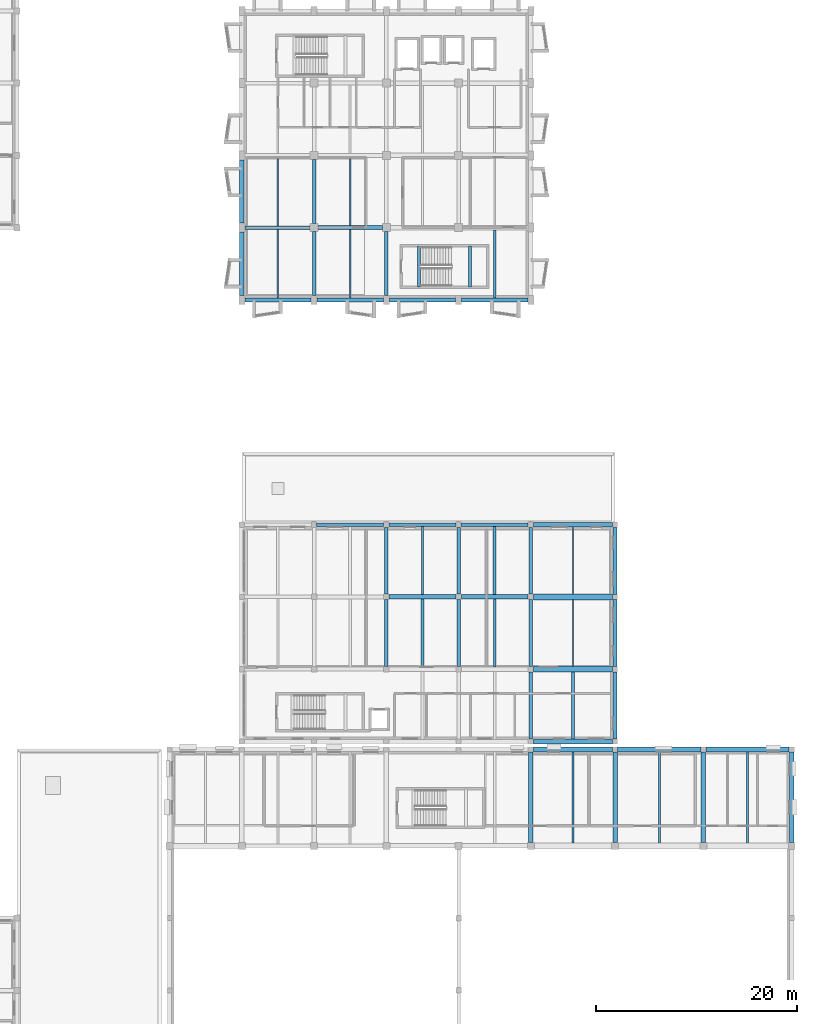
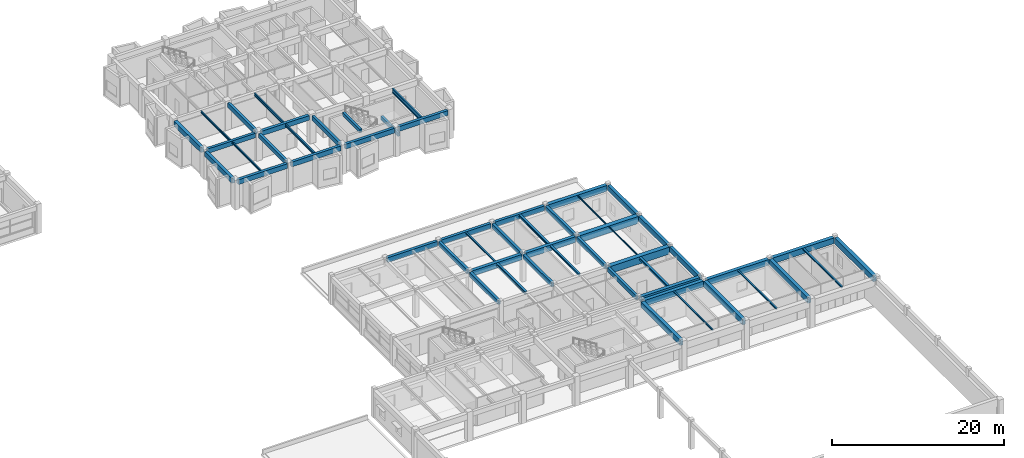
# One storey, part 39 of 67: 54 beams.
"""IFC4 building model written with IfcOpenShell, lengths in metres."""

from ifc_helpers import new_model, si_unit, direction, frame, origin, origin_2d, place, context, subcontext, project, spatial, rectangle, i_section, extrude, material, material_profile, profile_set, type_object, element, save


model = new_model("IFC4")

# Units and contexts
model_context = context("Model", 3, precision=1e-05, world=origin(), true_north=direction((0.0, 1.0)))
body_context = subcontext(model_context, "Body", "Model", "MODEL_VIEW")
ifc_project = project(units=[si_unit("LENGTHUNIT", "METRE"), si_unit("AREAUNIT", "SQUARE_METRE"), si_unit("VOLUMEUNIT", "CUBIC_METRE"), si_unit("PLANEANGLEUNIT", "RADIAN"), si_unit("MASSUNIT", "GRAM", prefix="KILO")], contexts=[model_context])

# Site, building, storey
site_placement = place(None, origin())
site = spatial("IfcSite", under=ifc_project, at=site_placement, CompositionType="ELEMENT")
building_placement = place(site_placement, origin())
building = spatial("IfcBuilding", under=site, at=building_placement, Name="Bramveld Media Centre", CompositionType="ELEMENT")
storey_placement = place(building_placement, frame((0.0, 0.0, 5.39990234375)))
storey = spatial("IfcBuildingStorey", under=building, at=storey_placement, Name="L01", CompositionType="ELEMENT", Elevation=5.39990234375)

# Beams
ifc_material_1 = material(Name="Concrete C40/50", Category="concrete")
ifc_material_profile_1 = material_profile(ifc_material_1, rectangle(XDim=0.300048828125, YDim=0.5, at=origin_2d()), Name="RC 300x500")
ifc_profile_set_1 = profile_set([ifc_material_profile_1], Name="Concrete C40/50")
beam_type_1 = type_object("IfcBeamType", Name="BM-INT-RC-300x500", PredefinedType="BEAM", material=ifc_profile_set_1)
for number, where, z_axis, x_axis, name in (
    (1, (148.85009765625, 84.5, 3.9501953125), (0.0, 1.0, 0.0), (-1.0, 0.0, 0.0), "ST-02 L02 stairwell landing trimmer beam"),
    (2, (153.949951171875, 84.5, 1.650146484375), (0.0, 1.0, 0.0), (-1.0, 0.0, 0.0), "ST-02 L01 stairwell half-landing support beam"),
):
    element("IfcBeam", number, at=place(storey_placement, frame(where, z_axis=z_axis, x_axis=x_axis)), inside=storey, type_object=beam_type_1, Name=name, PredefinedType="BEAM", context=body_context, shape_type="SweptSolid", body=[
        extrude(rectangle(XDim=0.300048828125, YDim=0.5, at=origin_2d()), origin(), (0.0, 0.0, 1.0), 4.050048828125),
    ])
ifc_material_2 = material(Name="Concrete C40/50", Category="concrete")
ifc_material_profile_2 = material_profile(ifc_material_2, rectangle(XDim=0.35009765625, YDim=0.60009765625, at=origin_2d()), Name="RC 350x600")
ifc_profile_set_2 = profile_set([ifc_material_profile_2], Name="Concrete C40/50")
beam_type_2 = type_object("IfcBeamType", Name="BM-INT-RC-350x600", PredefinedType="BEAM", material=ifc_profile_set_2)
beam_1_placement = place(storey_placement, frame((145.60009765625, 46.675048828125, 3.66015625), z_axis=(0.0, 1.0, 0.0), x_axis=(-1.0, 0.0, 0.0)))
element("IfcBeam", 3, at=beam_1_placement, inside=storey, type_object=beam_type_2, Name="V4 L01 girder Y-542", PredefinedType="BEAM", context=body_context, shape_type="SweptSolid", body=[
    extrude(rectangle(XDim=0.35009765625, YDim=0.60009765625, at=origin_2d()), origin(), (0.0, 0.0, 1.0), 6.64990234375),
])
beam_2_placement = place(storey_placement, frame((145.60009765625, 53.875, 3.66015625), z_axis=(0.0, 1.0, 0.0), x_axis=(-1.0, 0.0, 0.0)))
element("IfcBeam", 4, at=beam_2_placement, inside=storey, type_object=beam_type_2, Name="V4 L01 girder Y-543", PredefinedType="BEAM", context=body_context, shape_type="SweptSolid", body=[
    extrude(rectangle(XDim=0.35009765625, YDim=0.60009765625, at=origin_2d()), origin(), (0.0, 0.0, 1.0), 6.6650390625),
])
beam_3_placement = place(storey_placement, frame((152.800048828125, 46.675048828125, 3.66015625), z_axis=(0.0, 1.0, 0.0), x_axis=(-1.0, 0.0, 0.0)))
element("IfcBeam", 5, at=beam_3_placement, inside=storey, type_object=beam_type_2, Name="V4 L01 girder Y-545", PredefinedType="BEAM", context=body_context, shape_type="SweptSolid", body=[
    extrude(rectangle(XDim=0.35009765625, YDim=0.60009765625, at=origin_2d()), origin(), (0.0, 0.0, 1.0), 6.64990234375),
])
for number, where, z_axis, x_axis, name in (
    (6, (152.800048828125, 53.875, 3.66015625), (0.0, 1.0, 0.0), (-1.0, 0.0, 0.0), "V4 L01 girder Y-546"),
    (7, (160.0, 39.4599609375, 3.66015625), (0.0, 1.0, 0.0), (-1.0, 0.0, 0.0), "V4 L01 girder Y-547"),
):
    element("IfcBeam", number, at=place(storey_placement, frame(where, z_axis=z_axis, x_axis=x_axis)), inside=storey, type_object=beam_type_2, Name=name, PredefinedType="BEAM", context=body_context, shape_type="SweptSolid", body=[
        extrude(rectangle(XDim=0.35009765625, YDim=0.60009765625, at=origin_2d()), origin(), (0.0, 0.0, 1.0), 6.6650390625),
    ])
beam_4_placement = place(storey_placement, frame((160.0, 46.675048828125, 3.66015625), z_axis=(0.0, 1.0, 0.0), x_axis=(-1.0, 0.0, 0.0)))
element("IfcBeam", 8, at=beam_4_placement, inside=storey, type_object=beam_type_2, Name="V4 L01 girder Y-548", PredefinedType="BEAM", context=body_context, shape_type="SweptSolid", body=[
    extrude(rectangle(XDim=0.35009765625, YDim=0.60009765625, at=origin_2d()), origin(), (0.0, 0.0, 1.0), 6.64990234375),
])
beam_5_placement = place(storey_placement, frame((160.0, 53.875, 3.66015625), z_axis=(0.0, 1.0, 0.0), x_axis=(-1.0, 0.0, 0.0)))
element("IfcBeam", 9, at=beam_5_placement, inside=storey, type_object=beam_type_2, Name="V4 L01 girder Y-549", PredefinedType="BEAM", context=body_context, shape_type="SweptSolid", body=[
    extrude(rectangle(XDim=0.35009765625, YDim=0.60009765625, at=origin_2d()), origin(), (0.0, 0.0, 1.0), 6.6650390625),
])
beam_6_placement = place(storey_placement, frame((138.39990234375, 83.64990234375, 3.650146484375), z_axis=(0.0, 1.0, 0.0), x_axis=(-1.0, 0.0, 0.0)))
element("IfcBeam", 10, at=beam_6_placement, inside=storey, type_object=beam_type_2, Name="V7 L01 girder Y-1314", PredefinedType="BEAM", context=body_context, shape_type="SweptSolid", body=[
    extrude(rectangle(XDim=0.35009765625, YDim=0.60009765625, at=origin_2d()), origin(), (0.0, 0.0, 1.0), 6.35009765625),
])
beam_7_placement = place(storey_placement, frame((138.39990234375, 90.800048828125, 3.650146484375), z_axis=(0.0, 1.0, 0.0), x_axis=(-1.0, 0.0, 0.0)))
element("IfcBeam", 11, at=beam_7_placement, inside=storey, type_object=beam_type_2, Name="V7 L01 girder Y-1315", PredefinedType="BEAM", context=body_context, shape_type="SweptSolid", body=[
    extrude(rectangle(XDim=0.35009765625, YDim=0.60009765625, at=origin_2d()), origin(), (0.0, 0.0, 1.0), 6.39990234375),
])
beam_8_placement = place(storey_placement, frame((145.60009765625, 83.64990234375, 3.650146484375), z_axis=(0.0, 1.0, 0.0), x_axis=(-1.0, 0.0, 0.0)))
element("IfcBeam", 12, at=beam_8_placement, inside=storey, type_object=beam_type_2, Name="V7 L01 girder Y-1317", PredefinedType="BEAM", context=body_context, shape_type="SweptSolid", body=[
    extrude(rectangle(XDim=0.35009765625, YDim=0.60009765625, at=origin_2d()), origin(), (0.0, 0.0, 1.0), 6.35009765625),
])
ifc_material_3 = material(Name="Concrete C40/50", Category="concrete")
ifc_material_profile_3 = material_profile(ifc_material_3, rectangle(XDim=0.35009765625, YDim=0.64990234375, at=origin_2d()), Name="RC 350x650")
ifc_profile_set_3 = profile_set([ifc_material_profile_3], Name="Concrete C40/50")
beam_type_3 = type_object("IfcBeamType", Name="BM-INT-RC-350x650", PredefinedType="BEAM", material=ifc_profile_set_3)
beam_9_placement = place(storey_placement, frame((131.5, 90.39990234375, 3.625), z_axis=(1.0, 0.0, 0.0), x_axis=(0.0, 1.0, 0.0)))
element("IfcBeam", 13, at=beam_9_placement, inside=storey, type_object=beam_type_3, Name="V7 L01 girder X-1294", PredefinedType="BEAM", context=body_context, shape_type="SweptSolid", body=[
    extrude(rectangle(XDim=0.35009765625, YDim=0.64990234375, at=origin_2d()), origin(), (0.0, 0.0, 1.0), 6.5),
])
ifc_material_4 = material(Name="Concrete C40/50", Category="concrete")
ifc_material_profile_4 = material_profile(ifc_material_4, rectangle(XDim=0.39990234375, YDim=0.64990234375, at=origin_2d()), Name="RC 400x650")
ifc_profile_set_4 = profile_set([ifc_material_profile_4], Name="Concrete C40/50")
beam_type_4 = type_object("IfcBeamType", Name="BM-INT-RC-400x650", PredefinedType="BEAM", material=ifc_profile_set_4)
beam_10_placement = place(storey_placement, frame((138.800048828125, 90.39990234375, 3.625), z_axis=(1.0, 0.0, 0.0), x_axis=(0.0, 1.0, 0.0)))
element("IfcBeam", 14, at=beam_10_placement, inside=storey, type_object=beam_type_4, Name="V7 L01 girder X-1295", PredefinedType="BEAM", context=body_context, shape_type="SweptSolid", body=[
    extrude(rectangle(XDim=0.39990234375, YDim=0.64990234375, at=origin_2d()), origin(), (0.0, 0.0, 1.0), 6.39990234375),
])
ifc_material_5 = material(Name="Concrete C40/50", Category="concrete")
ifc_material_profile_5 = material_profile(ifc_material_5, rectangle(XDim=0.449951171875, YDim=0.75, at=origin_2d()), Name="RC 450x750")
ifc_profile_set_5 = profile_set([ifc_material_profile_5], Name="Concrete C40/50")
beam_type_5 = type_object("IfcBeamType", Name="BM-INT-RC-450x750", PredefinedType="BEAM", material=ifc_profile_set_5)
beam_11_placement = place(storey_placement, frame((145.875, 53.60009765625, 3.585205078125), z_axis=(1.0, 0.0, 0.0), x_axis=(0.0, 1.0, 0.0)))
element("IfcBeam", 15, at=beam_11_placement, inside=storey, type_object=beam_type_5, Name="V4 L01 girder X-529", PredefinedType="BEAM", context=body_context, shape_type="SweptSolid", body=[
    extrude(rectangle(XDim=0.449951171875, YDim=0.75, at=origin_2d()), origin(), (0.0, 0.0, 1.0), 6.64990234375),
])
ifc_material_6 = material(Name="Concrete C40/50", Category="concrete")
ifc_material_profile_6 = material_profile(ifc_material_6, rectangle(XDim=0.449951171875, YDim=0.800048828125, at=origin_2d()), Name="RC 450x800")
ifc_profile_set_6 = profile_set([ifc_material_profile_6], Name="Concrete C40/50")
beam_type_6 = type_object("IfcBeamType", Name="BM-INT-RC-450x800", PredefinedType="BEAM", material=ifc_profile_set_6)
for number, where, z_axis, x_axis, name in (
    (16, (160.0, 29.14990234375, 3.5400390625), (0.0, 1.0, 0.0), (-1.0, 0.0, 0.0), "V1 L01 girder Y-72"),
    (17, (168.39990234375, 29.14990234375, 3.5400390625), (0.0, 1.0, 0.0), (-1.0, 0.0, 0.0), "V1 L01 girder Y-73"),
    (18, (177.199951171875, 29.14990234375, 3.5400390625), (0.0, 1.0, 0.0), (-1.0, 0.0, 0.0), "V1 L01 girder Y-74"),
):
    element("IfcBeam", number, at=place(storey_placement, frame(where, z_axis=z_axis, x_axis=x_axis)), inside=storey, type_object=beam_type_6, Name=name, PredefinedType="BEAM", context=body_context, shape_type="SweptSolid", body=[
        extrude(rectangle(XDim=0.449951171875, YDim=0.800048828125, at=origin_2d()), origin(), (0.0, 0.0, 1.0), 8.989990234375),
    ])
beam_12_placement = place(storey_placement, frame((153.074951171875, 53.60009765625, 3.56005859375), z_axis=(1.0, 0.0, 0.0), x_axis=(0.0, 1.0, 0.0)))
element("IfcBeam", 19, at=beam_12_placement, inside=storey, type_object=beam_type_6, Name="V4 L01 girder X-530", PredefinedType="BEAM", context=body_context, shape_type="SweptSolid", body=[
    extrude(rectangle(XDim=0.449951171875, YDim=0.800048828125, at=origin_2d()), origin(), (0.0, 0.0, 1.0), 6.650146484375),
])
ifc_material_7 = material(Name="Concrete C40/50", Category="concrete")
ifc_material_profile_7 = material_profile(ifc_material_7, rectangle(XDim=0.60009765625, YDim=1.0, at=origin_2d()), Name="RC 600x1000")
ifc_profile_set_7 = profile_set([ifc_material_profile_7], Name="Concrete C40/50")
beam_type_7 = type_object("IfcBeamType", Name="BM-INT-RC-600x1000", PredefinedType="BEAM", material=ifc_profile_set_7)
for number, where, z_axis, x_axis, name in (
    (20, (160.27490234375, 46.39990234375, 3.460205078125), (1.0, 0.0, 0.0), (0.0, 1.0, 0.0), "V4 L01 girder X-526"),
    (21, (160.27490234375, 53.60009765625, 3.460205078125), (1.0, 0.0, 0.0), (0.0, 1.0, 0.0), "V4 L01 girder X-531"),
):
    element("IfcBeam", number, at=place(storey_placement, frame(where, z_axis=z_axis, x_axis=x_axis)), inside=storey, type_object=beam_type_7, Name=name, PredefinedType="BEAM", context=body_context, shape_type="SweptSolid", body=[
        extrude(rectangle(XDim=0.60009765625, YDim=1.0, at=origin_2d()), origin(), (0.0, 0.0, 1.0), 7.864990234375),
    ])
ifc_material_8 = material(Name="Steel S355J2", Category="steel")
ifc_material_profile_8 = material_profile(ifc_material_8, i_section(OverallWidth=0.179931640625, OverallDepth=0.1708984375, WebThickness=0.006103515625, FlangeThickness=0.009521484375, FilletRadius=0.014892578125, at=origin_2d()), Name="HEA 180")
ifc_profile_set_8 = profile_set([ifc_material_profile_8], Name="Steel S355J2")
beam_type_8 = type_object("IfcBeamType", Name="SBM-INT-HEA-180", PredefinedType="BEAM", material=ifc_profile_set_8)
beam_13_placement = place(storey_placement, frame((164.199951171875, 29.10009765625, 3.8544921875), z_axis=(0.0, 1.0, 0.0), x_axis=(-1.0, 0.0, 0.0)))
element("IfcBeam", 22, at=beam_13_placement, inside=storey, type_object=beam_type_8, Name="V1 L01 secondary floor joist 84", PredefinedType="BEAM", context=body_context, shape_type="SweptSolid", body=[
    extrude(i_section(OverallWidth=0.179931640625, OverallDepth=0.1708984375, WebThickness=0.006103515625, FlangeThickness=0.009521484375, FilletRadius=0.014892578125, at=origin_2d()), origin(), (0.0, 0.0, 1.0), 9.059814453125),
])
ifc_material_9 = material(Name="Steel S355J2", Category="steel")
ifc_material_profile_9 = material_profile(ifc_material_9, i_section(OverallWidth=0.199951171875, OverallDepth=0.18994140625, WebThickness=0.006591796875, FlangeThickness=0.010009765625, FilletRadius=0.01806640625, at=origin_2d()), Name="HEA 200")
ifc_profile_set_9 = profile_set([ifc_material_profile_9], Name="Steel S355J2")
beam_type_9 = type_object("IfcBeamType", Name="SBM-INT-HEA-200", PredefinedType="BEAM", material=ifc_profile_set_9)
beam_14_placement = place(storey_placement, frame((172.800048828125, 29.10009765625, 3.84521484375), z_axis=(0.0, 1.0, 0.0), x_axis=(-1.0, 0.0, 0.0)))
element("IfcBeam", 23, at=beam_14_placement, inside=storey, type_object=beam_type_9, Name="V1 L01 secondary floor joist 85", PredefinedType="BEAM", context=body_context, shape_type="SweptSolid", body=[
    extrude(i_section(OverallWidth=0.199951171875, OverallDepth=0.18994140625, WebThickness=0.006591796875, FlangeThickness=0.010009765625, FilletRadius=0.01806640625, at=origin_2d()), origin(), (0.0, 0.0, 1.0), 9.059814453125),
])
ifc_material_10 = material(Name="Steel S355J2", Category="steel")
ifc_material_profile_10 = material_profile(ifc_material_10, i_section(OverallWidth=0.219970703125, OverallDepth=0.2099609375, WebThickness=0.007080078125, FlangeThickness=0.010986328125, FilletRadius=0.01806640625, at=origin_2d()), Name="HEA 220")
ifc_profile_set_10 = profile_set([ifc_material_profile_10], Name="Steel S355J2")
beam_type_10 = type_object("IfcBeamType", Name="SBM-INT-HEA-220", PredefinedType="BEAM", material=ifc_profile_set_10)
beam_15_placement = place(storey_placement, frame((181.60009765625, 29.10009765625, 3.835205078125), z_axis=(0.0, 1.0, 0.0), x_axis=(-1.0, 0.0, 0.0)))
element("IfcBeam", 24, at=beam_15_placement, inside=storey, type_object=beam_type_10, Name="V1 L01 secondary floor joist 86", PredefinedType="BEAM", context=body_context, shape_type="SweptSolid", body=[
    extrude(i_section(OverallWidth=0.219970703125, OverallDepth=0.2099609375, WebThickness=0.007080078125, FlangeThickness=0.010986328125, FilletRadius=0.01806640625, at=origin_2d()), origin(), (0.0, 0.0, 1.0), 9.059814453125),
])
ifc_material_11 = material(Name="Steel S355J2", Category="steel")
ifc_material_profile_11 = material_profile(ifc_material_11, i_section(OverallWidth=0.300048828125, OverallDepth=0.389892578125, WebThickness=0.010986328125, FlangeThickness=0.01904296875, FilletRadius=0.027099609375, at=origin_2d()), Name="HEA 400")
ifc_profile_set_11 = profile_set([ifc_material_profile_11], Name="Steel S355J2")
beam_type_11 = type_object("IfcBeamType", Name="SBM-INT-HEA-400", PredefinedType="BEAM", material=ifc_profile_set_11)
beam_16_placement = place(storey_placement, frame((149.199951171875, 46.625, 3.76513671875), z_axis=(0.0, 1.0, 0.0), x_axis=(-1.0, 0.0, 0.0)))
element("IfcBeam", 25, at=beam_16_placement, inside=storey, type_object=beam_type_11, Name="V4 L01 secondary floor joist 558", PredefinedType="BEAM", context=body_context, shape_type="SweptSolid", body=[
    extrude(i_section(OverallWidth=0.300048828125, OverallDepth=0.389892578125, WebThickness=0.010986328125, FlangeThickness=0.01904296875, FilletRadius=0.027099609375, at=origin_2d()), origin(), (0.0, 0.0, 1.0), 6.75),
])
ifc_material_12 = material(Name="Steel S355J2", Category="steel")
ifc_material_profile_12 = material_profile(ifc_material_12, i_section(OverallWidth=0.199951171875, OverallDepth=0.199951171875, WebThickness=0.009033203125, FlangeThickness=0.014892578125, FilletRadius=0.01806640625, at=origin_2d()), Name="HEB 200")
ifc_profile_set_12 = profile_set([ifc_material_profile_12], Name="Steel S355J2")
beam_type_12 = type_object("IfcBeamType", Name="SBM-INT-HEB-200", PredefinedType="BEAM", material=ifc_profile_set_12)
beam_17_placement = place(storey_placement, frame((149.199951171875, 53.824951171875, 3.860107421875), z_axis=(0.0, 1.0, 0.0), x_axis=(-1.0, 0.0, 0.0)))
element("IfcBeam", 26, at=beam_17_placement, inside=storey, type_object=beam_type_12, Name="V4 L01 secondary floor joist 559", PredefinedType="BEAM", context=body_context, shape_type="SweptSolid", body=[
    extrude(i_section(OverallWidth=0.199951171875, OverallDepth=0.199951171875, WebThickness=0.009033203125, FlangeThickness=0.014892578125, FilletRadius=0.01806640625, at=origin_2d()), origin(), (0.0, 0.0, 1.0), 6.78515625),
])
ifc_material_13 = material(Name="Steel S355J2", Category="steel")
ifc_material_profile_13 = material_profile(ifc_material_13, i_section(OverallWidth=0.260009765625, OverallDepth=0.260009765625, WebThickness=0.010009765625, FlangeThickness=0.017578125, FilletRadius=0.02392578125, at=origin_2d()), Name="HEB 260")
ifc_profile_set_13 = profile_set([ifc_material_profile_13], Name="Steel S355J2")
beam_type_13 = type_object("IfcBeamType", Name="SBM-INT-HEB-260", PredefinedType="BEAM", material=ifc_profile_set_13)
beam_18_placement = place(storey_placement, frame((156.39990234375, 46.625, 3.830078125), z_axis=(0.0, 1.0, 0.0), x_axis=(-1.0, 0.0, 0.0)))
element("IfcBeam", 27, at=beam_18_placement, inside=storey, type_object=beam_type_13, Name="V4 L01 secondary floor joist 561", PredefinedType="BEAM", context=body_context, shape_type="SweptSolid", body=[
    extrude(i_section(OverallWidth=0.260009765625, OverallDepth=0.260009765625, WebThickness=0.010009765625, FlangeThickness=0.017578125, FilletRadius=0.02392578125, at=origin_2d()), origin(), (0.0, 0.0, 1.0), 6.75),
])
ifc_material_14 = material(Name="Steel S355J2", Category="steel")
ifc_material_profile_14 = material_profile(ifc_material_14, i_section(OverallWidth=0.300048828125, OverallDepth=0.320068359375, WebThickness=0.011474609375, FlangeThickness=0.0205078125, FilletRadius=0.027099609375, at=origin_2d()), Name="HEB 320")
ifc_profile_set_14 = profile_set([ifc_material_profile_14], Name="Steel S355J2")
beam_type_14 = type_object("IfcBeamType", Name="SBM-INT-HEB-320", PredefinedType="BEAM", material=ifc_profile_set_14)
beam_19_placement = place(storey_placement, frame((156.39990234375, 53.824951171875, 3.800048828125), z_axis=(0.0, 1.0, 0.0), x_axis=(-1.0, 0.0, 0.0)))
element("IfcBeam", 28, at=beam_19_placement, inside=storey, type_object=beam_type_14, Name="V4 L01 secondary floor joist 562", PredefinedType="BEAM", context=body_context, shape_type="SweptSolid", body=[
    extrude(i_section(OverallWidth=0.300048828125, OverallDepth=0.320068359375, WebThickness=0.011474609375, FlangeThickness=0.0205078125, FilletRadius=0.027099609375, at=origin_2d()), origin(), (0.0, 0.0, 1.0), 6.78515625),
])
ifc_material_15 = material(Name="Steel S355J2", Category="steel")
ifc_material_profile_15 = material_profile(ifc_material_15, i_section(OverallWidth=0.300048828125, OverallDepth=0.360107421875, WebThickness=0.012451171875, FlangeThickness=0.0224609375, FilletRadius=0.027099609375, at=origin_2d()), Name="HEB 360")
ifc_profile_set_15 = profile_set([ifc_material_profile_15], Name="Steel S355J2")
beam_type_15 = type_object("IfcBeamType", Name="SBM-INT-HEB-360", PredefinedType="BEAM", material=ifc_profile_set_15)
beam_20_placement = place(storey_placement, frame((164.199951171875, 39.43994140625, 3.780029296875), z_axis=(0.0, 1.0, 0.0), x_axis=(-1.0, 0.0, 0.0)))
element("IfcBeam", 29, at=beam_20_placement, inside=storey, type_object=beam_type_15, Name="V4 L01 secondary floor joist 563", PredefinedType="BEAM", context=body_context, shape_type="SweptSolid", body=[
    extrude(i_section(OverallWidth=0.300048828125, OverallDepth=0.360107421875, WebThickness=0.012451171875, FlangeThickness=0.0224609375, FilletRadius=0.027099609375, at=origin_2d()), origin(), (0.0, 0.0, 1.0), 6.66015625),
])
ifc_material_16 = material(Name="Steel S355J2", Category="steel")
ifc_material_profile_16 = material_profile(ifc_material_16, i_section(OverallWidth=0.091064453125, OverallDepth=0.179931640625, WebThickness=0.00537109375, FlangeThickness=0.008056640625, FilletRadius=0.009033203125, at=origin_2d()), Name="IPE 180")
ifc_profile_set_16 = profile_set([ifc_material_profile_16], Name="Steel S355J2")
beam_type_16 = type_object("IfcBeamType", Name="SBM-INT-IPE-180", PredefinedType="JOIST", material=ifc_profile_set_16)
beam_21_placement = place(storey_placement, frame((164.199951171875, 46.699951171875, 3.8701171875), z_axis=(0.0, 1.0, 0.0), x_axis=(-1.0, 0.0, 0.0)))
element("IfcBeam", 30, at=beam_21_placement, inside=storey, type_object=beam_type_16, Name="V4 L01 secondary floor joist 564", PredefinedType="JOIST", context=body_context, shape_type="SweptSolid", body=[
    extrude(i_section(OverallWidth=0.091064453125, OverallDepth=0.179931640625, WebThickness=0.00537109375, FlangeThickness=0.008056640625, FilletRadius=0.009033203125, at=origin_2d()), origin(), (0.0, 0.0, 1.0), 6.60009765625),
])
ifc_material_17 = material(Name="Steel S355J2", Category="steel")
ifc_material_profile_17 = material_profile(ifc_material_17, i_section(OverallWidth=0.110107421875, OverallDepth=0.219970703125, WebThickness=0.005859375, FlangeThickness=0.00927734375, FilletRadius=0.011962890625, at=origin_2d()), Name="IPE 220")
ifc_profile_set_17 = profile_set([ifc_material_profile_17], Name="Steel S355J2")
beam_type_17 = type_object("IfcBeamType", Name="SBM-INT-IPE-220", PredefinedType="JOIST", material=ifc_profile_set_17)
beam_22_placement = place(storey_placement, frame((164.199951171875, 53.89990234375, 3.85009765625), z_axis=(0.0, 1.0, 0.0), x_axis=(-1.0, 0.0, 0.0)))
element("IfcBeam", 31, at=beam_22_placement, inside=storey, type_object=beam_type_17, Name="V4 L01 secondary floor joist 565", PredefinedType="JOIST", context=body_context, shape_type="SweptSolid", body=[
    extrude(i_section(OverallWidth=0.110107421875, OverallDepth=0.219970703125, WebThickness=0.005859375, FlangeThickness=0.00927734375, FilletRadius=0.011962890625, at=origin_2d()), origin(), (0.0, 0.0, 1.0), 6.66015625),
])
ifc_material_18 = material(Name="Steel S355J2", Category="steel")
ifc_material_profile_18 = material_profile(ifc_material_18, i_section(OverallWidth=0.135009765625, OverallDepth=0.27001953125, WebThickness=0.006591796875, FlangeThickness=0.01025390625, FilletRadius=0.014892578125, at=origin_2d()), Name="IPE 270")
ifc_profile_set_18 = profile_set([ifc_material_profile_18], Name="Steel S355J2")
beam_type_18 = type_object("IfcBeamType", Name="SBM-INT-IPE-270", PredefinedType="JOIST", material=ifc_profile_set_18)
beam_23_placement = place(storey_placement, frame((134.800048828125, 83.389892578125, 3.815185546875), z_axis=(0.0, 1.0, 0.0), x_axis=(-1.0, 0.0, 0.0)))
element("IfcBeam", 32, at=beam_23_placement, inside=storey, type_object=beam_type_18, Name="V7 L01 secondary floor joist 1327", PredefinedType="JOIST", context=body_context, shape_type="SweptSolid", body=[
    extrude(i_section(OverallWidth=0.135009765625, OverallDepth=0.27001953125, WebThickness=0.006591796875, FlangeThickness=0.01025390625, FilletRadius=0.014892578125, at=origin_2d()), origin(), (0.0, 0.0, 1.0), 6.835205078125),
])
ifc_material_19 = material(Name="Steel S355J2", Category="steel")
ifc_material_profile_19 = material_profile(ifc_material_19, i_section(OverallWidth=0.14990234375, OverallDepth=0.300048828125, WebThickness=0.007080078125, FlangeThickness=0.0107421875, FilletRadius=0.014892578125, at=origin_2d()), Name="IPE 300")
ifc_profile_set_19 = profile_set([ifc_material_profile_19], Name="Steel S355J2")
beam_type_19 = type_object("IfcBeamType", Name="SBM-INT-IPE-300", PredefinedType="JOIST", material=ifc_profile_set_19)
beam_24_placement = place(storey_placement, frame((134.800048828125, 90.574951171875, 3.800048828125), z_axis=(0.0, 1.0, 0.0), x_axis=(-1.0, 0.0, 0.0)))
element("IfcBeam", 33, at=beam_24_placement, inside=storey, type_object=beam_type_19, Name="V7 L01 secondary floor joist 1328", PredefinedType="JOIST", context=body_context, shape_type="SweptSolid", body=[
    extrude(i_section(OverallWidth=0.14990234375, OverallDepth=0.300048828125, WebThickness=0.007080078125, FlangeThickness=0.0107421875, FilletRadius=0.014892578125, at=origin_2d()), origin(), (0.0, 0.0, 1.0), 6.85009765625),
])
ifc_material_20 = material(Name="Steel S355J2", Category="steel")
ifc_material_profile_20 = material_profile(ifc_material_20, i_section(OverallWidth=0.169921875, OverallDepth=0.360107421875, WebThickness=0.008056640625, FlangeThickness=0.0126953125, FilletRadius=0.01806640625, at=origin_2d()), Name="IPE 360")
ifc_profile_set_20 = profile_set([ifc_material_profile_20], Name="Steel S355J2")
beam_type_20 = type_object("IfcBeamType", Name="SBM-INT-IPE-360", PredefinedType="JOIST", material=ifc_profile_set_20)
beam_25_placement = place(storey_placement, frame((142.0, 83.389892578125, 3.77001953125), z_axis=(0.0, 1.0, 0.0), x_axis=(-1.0, 0.0, 0.0)))
element("IfcBeam", 34, at=beam_25_placement, inside=storey, type_object=beam_type_20, Name="V7 L01 secondary floor joist 1330", PredefinedType="JOIST", context=body_context, shape_type="SweptSolid", body=[
    extrude(i_section(OverallWidth=0.169921875, OverallDepth=0.360107421875, WebThickness=0.008056640625, FlangeThickness=0.0126953125, FilletRadius=0.01806640625, at=origin_2d()), origin(), (0.0, 0.0, 1.0), 6.81005859375),
])
ifc_material_21 = material(Name="Steel S355J2", Category="steel")
ifc_material_profile_21 = material_profile(ifc_material_21, i_section(OverallWidth=0.179931640625, OverallDepth=0.39990234375, WebThickness=0.008544921875, FlangeThickness=0.013427734375, FilletRadius=0.02099609375, at=origin_2d()), Name="IPE 400")
ifc_profile_set_21 = profile_set([ifc_material_profile_21], Name="Steel S355J2")
beam_type_21 = type_object("IfcBeamType", Name="SBM-INT-IPE-400", PredefinedType="JOIST", material=ifc_profile_set_21)
beam_26_placement = place(storey_placement, frame((142.0, 90.60009765625, 3.75), z_axis=(0.0, 1.0, 0.0), x_axis=(-1.0, 0.0, 0.0)))
element("IfcBeam", 35, at=beam_26_placement, inside=storey, type_object=beam_type_21, Name="V7 L01 secondary floor joist 1331", PredefinedType="JOIST", context=body_context, shape_type="SweptSolid", body=[
    extrude(i_section(OverallWidth=0.179931640625, OverallDepth=0.39990234375, WebThickness=0.008544921875, FlangeThickness=0.013427734375, FilletRadius=0.02099609375, at=origin_2d()), origin(), (0.0, 0.0, 1.0), 6.7998046875),
])
ifc_material_22 = material(Name="Steel S355J2", Category="steel")
ifc_material_profile_22 = material_profile(ifc_material_22, i_section(OverallWidth=0.219970703125, OverallDepth=0.60009765625, WebThickness=0.011962890625, FlangeThickness=0.01904296875, FilletRadius=0.02392578125, at=origin_2d()), Name="IPE 600")
ifc_profile_set_22 = profile_set([ifc_material_profile_22], Name="Steel S355J2")
beam_type_22 = type_object("IfcBeamType", Name="SBM-INT-IPE-600", PredefinedType="BEAM", material=ifc_profile_set_22)
beam_27_placement = place(storey_placement, frame((156.39990234375, 83.389892578125, 3.650146484375), z_axis=(0.0, 1.0, 0.0), x_axis=(-1.0, 0.0, 0.0)))
element("IfcBeam", 36, at=beam_27_placement, inside=storey, type_object=beam_type_22, Name="V7 L01 secondary floor joist 1335", PredefinedType="BEAM", context=body_context, shape_type="SweptSolid", body=[
    extrude(i_section(OverallWidth=0.219970703125, OverallDepth=0.60009765625, WebThickness=0.011962890625, FlangeThickness=0.01904296875, FilletRadius=0.02392578125, at=origin_2d()), origin(), (0.0, 0.0, 1.0), 6.78515625),
])
ifc_material_23 = material(Name="Concrete C40/50", Category="concrete")
ifc_material_profile_23 = material_profile(ifc_material_23, rectangle(XDim=0.3798828125, YDim=0.679931640625, at=origin_2d()), Name="RC 380x680")
ifc_profile_set_23 = profile_set([ifc_material_profile_23], Name="Concrete C40/50")
beam_type_23 = type_object("IfcBeamType", Name="SPANDREL-EXT-RC-380x680", PredefinedType="SPANDREL", material=ifc_profile_set_23)
beam_28_placement = place(storey_placement, frame((138.659912109375, 60.800048828125, 3.6201171875), z_axis=(1.0, 0.0, 0.0), x_axis=(0.0, 1.0, 0.0)))
element("IfcBeam", 37, at=beam_28_placement, inside=storey, type_object=beam_type_23, Name="V4 L01 girder X-533", PredefinedType="SPANDREL", context=body_context, shape_type="SweptSolid", body=[
    extrude(rectangle(XDim=0.3798828125, YDim=0.679931640625, at=origin_2d()), origin(), (0.0, 0.0, 1.0), 6.68017578125),
])
for number, where, z_axis, x_axis, name in (
    (38, (145.860107421875, 60.800048828125, 3.6201171875), (1.0, 0.0, 0.0), (0.0, 1.0, 0.0), "V4 L01 girder X-534"),
    (39, (153.06005859375, 60.800048828125, 3.6201171875), (1.0, 0.0, 0.0), (0.0, 1.0, 0.0), "V4 L01 girder X-535"),
):
    element("IfcBeam", number, at=place(storey_placement, frame(where, z_axis=z_axis, x_axis=x_axis)), inside=storey, type_object=beam_type_23, Name=name, PredefinedType="SPANDREL", context=body_context, shape_type="SweptSolid", body=[
        extrude(rectangle(XDim=0.3798828125, YDim=0.679931640625, at=origin_2d()), origin(), (0.0, 0.0, 1.0), 6.679931640625),
    ])
for number, where, z_axis, x_axis, name in (
    (40, (131.5, 83.199951171875, 3.610107421875), (1.0, 0.0, 0.0), (0.0, 1.0, 0.0), "V7 L01 girder X-1290"),
    (41, (138.699951171875, 83.199951171875, 3.610107421875), (1.0, 0.0, 0.0), (0.0, 1.0, 0.0), "V7 L01 girder X-1291"),
    (42, (145.89990234375, 83.199951171875, 3.610107421875), (1.0, 0.0, 0.0), (0.0, 1.0, 0.0), "V7 L01 girder X-1292"),
):
    element("IfcBeam", number, at=place(storey_placement, frame(where, z_axis=z_axis, x_axis=x_axis)), inside=storey, type_object=beam_type_23, Name=name, PredefinedType="SPANDREL", context=body_context, shape_type="SweptSolid", body=[
        extrude(rectangle(XDim=0.3798828125, YDim=0.679931640625, at=origin_2d()), origin(), (0.0, 0.0, 1.0), 6.60009765625),
    ])
beam_29_placement = place(storey_placement, frame((153.10009765625, 83.199951171875, 3.610107421875), z_axis=(1.0, 0.0, 0.0), x_axis=(0.0, 1.0, 0.0)))
element("IfcBeam", 43, at=beam_29_placement, inside=storey, type_object=beam_type_23, Name="V7 L01 girder X-1293", PredefinedType="SPANDREL", context=body_context, shape_type="SweptSolid", body=[
    extrude(rectangle(XDim=0.3798828125, YDim=0.679931640625, at=origin_2d()), origin(), (0.0, 0.0, 1.0), 6.599853515625),
])
ifc_material_24 = material(Name="Concrete C40/50", Category="concrete")
ifc_material_profile_24 = material_profile(ifc_material_24, rectangle(XDim=0.419921875, YDim=0.719970703125, at=origin_2d()), Name="RC 420x720")
ifc_profile_set_24 = profile_set([ifc_material_profile_24], Name="Concrete C40/50")
beam_type_24 = type_object("IfcBeamType", Name="SPANDREL-EXT-RC-420x720", PredefinedType="SPANDREL", material=ifc_profile_set_24)
beam_30_placement = place(storey_placement, frame((168.39990234375, 39.4599609375, 3.60009765625), z_axis=(0.0, 1.0, 0.0), x_axis=(-1.0, 0.0, 0.0)))
element("IfcBeam", 44, at=beam_30_placement, inside=storey, type_object=beam_type_24, Name="V4 L01 girder Y-550", PredefinedType="SPANDREL", context=body_context, shape_type="SweptSolid", body=[
    extrude(rectangle(XDim=0.419921875, YDim=0.719970703125, at=origin_2d()), origin(), (0.0, 0.0, 1.0), 6.679931640625),
])
beam_31_placement = place(storey_placement, frame((168.39990234375, 46.659912109375, 3.60009765625), z_axis=(0.0, 1.0, 0.0), x_axis=(-1.0, 0.0, 0.0)))
element("IfcBeam", 45, at=beam_31_placement, inside=storey, type_object=beam_type_24, Name="V4 L01 girder Y-551", PredefinedType="SPANDREL", context=body_context, shape_type="SweptSolid", body=[
    extrude(rectangle(XDim=0.419921875, YDim=0.719970703125, at=origin_2d()), origin(), (0.0, 0.0, 1.0), 6.68017578125),
])
beam_32_placement = place(storey_placement, frame((168.39990234375, 53.860107421875, 3.60009765625), z_axis=(0.0, 1.0, 0.0), x_axis=(-1.0, 0.0, 0.0)))
element("IfcBeam", 46, at=beam_32_placement, inside=storey, type_object=beam_type_24, Name="V4 L01 girder Y-552", PredefinedType="SPANDREL", context=body_context, shape_type="SweptSolid", body=[
    extrude(rectangle(XDim=0.419921875, YDim=0.719970703125, at=origin_2d()), origin(), (0.0, 0.0, 1.0), 6.679931640625),
])
beam_33_placement = place(storey_placement, frame((131.199951171875, 83.64990234375, 3.590087890625), z_axis=(0.0, 1.0, 0.0), x_axis=(-1.0, 0.0, 0.0)))
element("IfcBeam", 47, at=beam_33_placement, inside=storey, type_object=beam_type_24, Name="V7 L01 girder Y-1310", PredefinedType="SPANDREL", context=body_context, shape_type="SweptSolid", body=[
    extrude(rectangle(XDim=0.419921875, YDim=0.719970703125, at=origin_2d()), origin(), (0.0, 0.0, 1.0), 6.300048828125),
])
beam_34_placement = place(storey_placement, frame((131.199951171875, 90.85009765625, 3.590087890625), z_axis=(0.0, 1.0, 0.0), x_axis=(-1.0, 0.0, 0.0)))
element("IfcBeam", 48, at=beam_34_placement, inside=storey, type_object=beam_type_24, Name="V7 L01 girder Y-1311", PredefinedType="SPANDREL", context=body_context, shape_type="SweptSolid", body=[
    extrude(rectangle(XDim=0.419921875, YDim=0.719970703125, at=origin_2d()), origin(), (0.0, 0.0, 1.0), 6.2998046875),
])
ifc_material_25 = material(Name="Concrete C40/50", Category="concrete")
ifc_material_profile_25 = material_profile(ifc_material_25, rectangle(XDim=0.47998046875, YDim=0.820068359375, at=origin_2d()), Name="RC 480x820")
ifc_profile_set_25 = profile_set([ifc_material_profile_25], Name="Concrete C40/50")
beam_type_25 = type_object("IfcBeamType", Name="SPANDREL-EXT-RC-480x820", PredefinedType="SPANDREL", material=ifc_profile_set_25)
beam_35_placement = place(storey_placement, frame((160.260009765625, 38.39990234375, 3.530029296875), z_axis=(1.0, 0.0, 0.0), x_axis=(0.0, 1.0, 0.0)))
element("IfcBeam", 49, at=beam_35_placement, inside=storey, type_object=beam_type_25, Name="V1 L01 girder X-57", PredefinedType="SPANDREL", context=body_context, shape_type="SweptSolid", body=[
    extrude(rectangle(XDim=0.47998046875, YDim=0.820068359375, at=origin_2d()), origin(), (0.0, 0.0, 1.0), 7.8798828125),
])
for number, where, z_axis, x_axis, name in (
    (50, (168.659912109375, 38.39990234375, 3.530029296875), (1.0, 0.0, 0.0), (0.0, 1.0, 0.0), "V1 L01 girder X-58"),
    (51, (177.4599609375, 38.39990234375, 3.530029296875), (1.0, 0.0, 0.0), (0.0, 1.0, 0.0), "V1 L01 girder X-59"),
):
    element("IfcBeam", number, at=place(storey_placement, frame(where, z_axis=z_axis, x_axis=x_axis)), inside=storey, type_object=beam_type_25, Name=name, PredefinedType="SPANDREL", context=body_context, shape_type="SweptSolid", body=[
        extrude(rectangle(XDim=0.47998046875, YDim=0.820068359375, at=origin_2d()), origin(), (0.0, 0.0, 1.0), 8.280029296875),
    ])
beam_36_placement = place(storey_placement, frame((186.0, 29.139892578125, 3.530029296875), z_axis=(0.0, 1.0, 0.0), x_axis=(-1.0, 0.0, 0.0)))
element("IfcBeam", 52, at=beam_36_placement, inside=storey, type_object=beam_type_25, Name="V1 L01 girder Y-79", PredefinedType="SPANDREL", context=body_context, shape_type="SweptSolid", body=[
    extrude(rectangle(XDim=0.47998046875, YDim=0.820068359375, at=origin_2d()), origin(), (0.0, 0.0, 1.0), 9.0),
])
for number, where, z_axis, x_axis, name in (
    (53, (160.260009765625, 39.199951171875, 3.550048828125), (1.0, 0.0, 0.0), (0.0, 1.0, 0.0), "V4 L01 girder X-521"),
    (54, (160.260009765625, 60.800048828125, 3.550048828125), (1.0, 0.0, 0.0), (0.0, 1.0, 0.0), "V4 L01 girder X-536"),
):
    element("IfcBeam", number, at=place(storey_placement, frame(where, z_axis=z_axis, x_axis=x_axis)), inside=storey, type_object=beam_type_25, Name=name, PredefinedType="SPANDREL", context=body_context, shape_type="SweptSolid", body=[
        extrude(rectangle(XDim=0.47998046875, YDim=0.820068359375, at=origin_2d()), origin(), (0.0, 0.0, 1.0), 7.8798828125),
    ])

save(model, "model.ifc")
